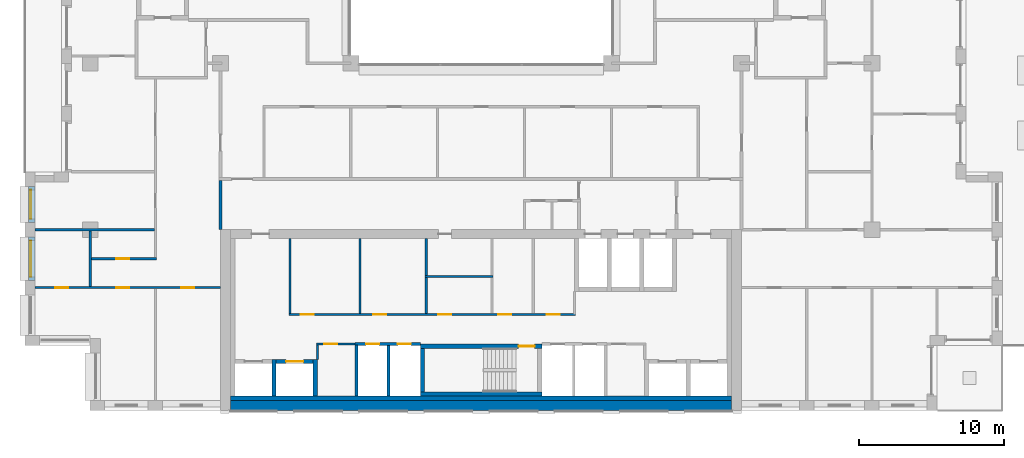
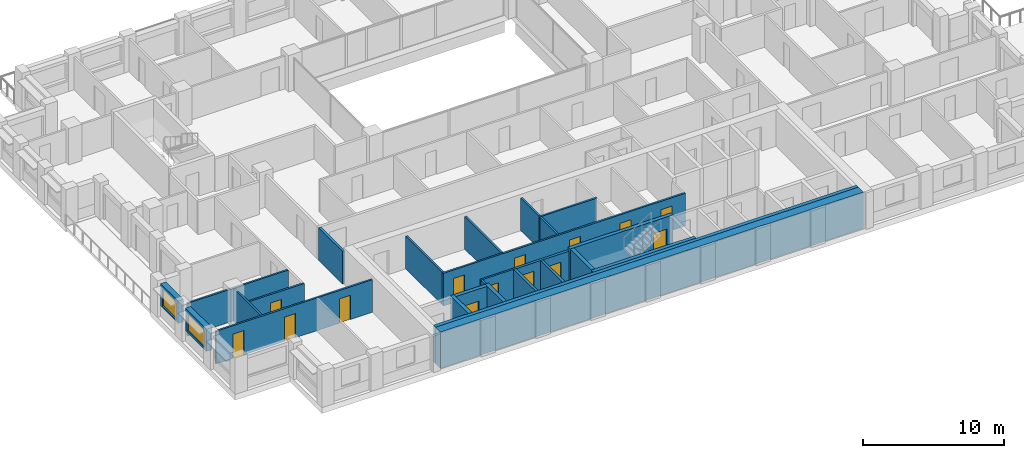
# One storey, part 8 of 17: 26 walls, 14 doors, 2 windows, 16 openings.
"""IFC4 building model written with IfcOpenShell, lengths in metres."""

from ifc_helpers import new_model, si_unit, direction, frame, frame_2d, origin, place, context, subcontext, project, spatial, rectangle, extrude, material, layer, layer_set, type_object, element, fill, save


model = new_model("IFC4")

# Units and contexts
model_context = context("Model", 3, precision=1e-05, world=origin(), true_north=direction((0.0, 1.0)))
body_context = subcontext(model_context, "Body", "Model", "MODEL_VIEW")
ifc_project = project(units=[si_unit("LENGTHUNIT", "METRE"), si_unit("AREAUNIT", "SQUARE_METRE"), si_unit("VOLUMEUNIT", "CUBIC_METRE"), si_unit("PLANEANGLEUNIT", "RADIAN"), si_unit("MASSUNIT", "GRAM", prefix="KILO")], contexts=[model_context])

# Site, building, storey
site_placement = place(None, origin())
site = spatial("IfcSite", under=ifc_project, at=site_placement, CompositionType="ELEMENT")
building_placement = place(site_placement, origin())
building = spatial("IfcBuilding", under=site, at=building_placement, Name="Brigalow Station Residences", CompositionType="ELEMENT")
storey_placement = place(building_placement, frame((0.0, 0.0, 141.300048828125)))
storey = spatial("IfcBuildingStorey", under=building, at=storey_placement, Name="L40", CompositionType="ELEMENT", Elevation=141.300048828125)

# Wall, opening, window
ifc_material_1 = material(Name="Clay brick masonry", Category="masonry")
ifc_layer_1 = layer(ifc_material_1, 0.449951171875)
ifc_layer_set_1 = layer_set([ifc_layer_1], Name="BRICK INFILL WALL 450")
wall_type_1 = type_object("IfcWallType", Name="BRICK INFILL WALL 450", PredefinedType="SOLIDWALL", material=ifc_layer_set_1)
wall_1_placement = place(storey_placement, frame((4.97509765625, 15.5, 0.89990234375), z_axis=(0.0, 0.0, 1.0), x_axis=(0.0, -1.0, 0.0)))
wall_1 = element("IfcWall", 1, at=wall_1_placement, inside=storey, type_object=wall_type_1, Name="L40/ewall/W-L40-45", PredefinedType="SOLIDWALL", context=body_context, shape_type="SweptSolid", body=[
    extrude(rectangle(XDim=2.5, YDim=0.449951171875, at=frame_2d((1.25, 0.0))), origin(), (0.0, 0.0, 1.0), 1.929931640625),
])
opening_1_placement = place(wall_1_placement, frame((0.25, 0.0, 0.14990234375)))
opening_1 = element("IfcOpeningElement", 2, at=opening_1_placement, cuts=wall_1, Name="Opening WT-7", PredefinedType="OPENING", context=body_context, shape_type="SweptSolid", body=[
    extrude(rectangle(XDim=2.0, YDim=1.5, at=frame_2d((1.0, 0.75))), frame((0.0, 0.23486328125, 0.0), z_axis=(0.0, -1.0, 0.0), x_axis=(1.0, 0.0, 0.0)), (0.0, 0.0, 1.0), 0.469970703125),
])
ifc_material_2 = material(Name="Anodised aluminium frame with double glazing", Category="aluminium")
window_type_1 = type_object("IfcWindowType", Name="WINDOW 2000x1500", PartitioningType="SINGLE_PANEL", PredefinedType="WINDOW", material=ifc_material_2)
window_1_placement = place(opening_1_placement, origin())
window_1 = element("IfcWindow", 3, at=window_1_placement, inside=storey, type_object=window_type_1, Name="L40/window/W-L40-45", OverallHeight=1.5, OverallWidth=2.0, PartitioningType="SINGLE_PANEL", PredefinedType="WINDOW", context=body_context, shape_type="SweptSolid", body=[
    extrude(rectangle(XDim=2.0, YDim=1.5, at=frame_2d((1.0, 0.75))), frame((0.0, -0.06494140625, 0.0), z_axis=(0.0, -1.0, 0.0), x_axis=(1.0, 0.0, 0.0)), (0.0, 0.0, 1.0), 0.06005859375),
])
fill(opening_1, window_1)

wall_2_placement = place(storey_placement, frame((4.97509765625, 12.0, 0.89990234375), z_axis=(0.0, 0.0, 1.0), x_axis=(0.0, -1.0, 0.0)))
wall_2 = element("IfcWall", 4, at=wall_2_placement, inside=storey, type_object=wall_type_1, Name="L40/ewall/W-L40-46", PredefinedType="SOLIDWALL", context=body_context, shape_type="SweptSolid", body=[
    extrude(rectangle(XDim=3.0, YDim=0.449951171875, at=frame_2d((1.5, 0.0))), origin(), (0.0, 0.0, 1.0), 1.929931640625),
])
opening_2_placement = place(wall_2_placement, frame((0.25, 0.0, 0.14990234375)))
opening_2 = element("IfcOpeningElement", 5, at=opening_2_placement, cuts=wall_2, Name="Opening WT-5", PredefinedType="OPENING", context=body_context, shape_type="SweptSolid", body=[
    extrude(rectangle(XDim=2.5, YDim=1.5, at=frame_2d((1.25, 0.75))), frame((0.0, 0.23486328125, 0.0), z_axis=(0.0, -1.0, 0.0), x_axis=(1.0, 0.0, 0.0)), (0.0, 0.0, 1.0), 0.469970703125),
])
ifc_material_3 = material(Name="Anodised aluminium frame with double glazing", Category="aluminium")
window_type_2 = type_object("IfcWindowType", Name="WINDOW 2500x1500", PartitioningType="SINGLE_PANEL", PredefinedType="WINDOW", material=ifc_material_3)
window_2_placement = place(opening_2_placement, origin())
window_2 = element("IfcWindow", 6, at=window_2_placement, inside=storey, type_object=window_type_2, Name="L40/window/W-L40-46", OverallHeight=1.5, OverallWidth=2.5, PartitioningType="SINGLE_PANEL", PredefinedType="WINDOW", context=body_context, shape_type="SweptSolid", body=[
    extrude(rectangle(XDim=2.5, YDim=1.5, at=frame_2d((1.25, 0.75))), frame((0.0, -0.06494140625, 0.0), z_axis=(0.0, -1.0, 0.0), x_axis=(1.0, 0.0, 0.0)), (0.0, 0.0, 1.0), 0.06005859375),
])
fill(opening_2, window_2)

# Wall
ifc_material_4 = material(Name="Concrete C65", Category="concrete")
ifc_layer_2 = layer(ifc_material_4, 0.300048828125)
ifc_layer_set_2 = layer_set([ifc_layer_2], Name="CORE SHEAR WALL 300 C65")
wall_type_2 = type_object("IfcWallType", Name="CORE SHEAR WALL 300 C65", PredefinedType="SHEAR", material=ifc_layer_set_2)
wall_3_placement = place(storey_placement, frame((18.699951171875, 0.85009765625, 0.0), z_axis=(0.0, 0.0, 1.0), x_axis=(1.0, 0.0, 0.0)))
element("IfcWall", 7, at=wall_3_placement, inside=storey, type_object=wall_type_2, Name="CORE WALL LIN-S L40", PredefinedType="SHEAR", context=body_context, shape_type="SweptSolid", body=[
    extrude(rectangle(XDim=34.60009765625, YDim=0.300048828125, at=frame_2d((17.300048828125, 0.0))), origin(), (0.0, 0.0, 1.0), 3.14990234375),
])

# Wall, opening, door
wall_4_placement = place(storey_placement, frame((21.85009765625, 3.39990234375, 0.0), z_axis=(0.0, 0.0, 1.0), x_axis=(1.0, 0.0, 0.0)))
wall_4 = element("IfcWall", 8, at=wall_4_placement, inside=storey, type_object=wall_type_2, Name="CORE WALL SH-C2-N L40", PredefinedType="SHEAR", context=body_context, shape_type="SweptSolid", body=[
    extrude(rectangle(XDim=2.5498046875, YDim=0.300048828125, at=frame_2d((1.27490234375, 0.0))), origin(), (0.0, 0.0, 1.0), 3.14990234375),
])
opening_3_placement = place(wall_4_placement, frame((0.675048828125, 0.0, 0.0)))
opening_3 = element("IfcOpeningElement", 9, at=opening_3_placement, cuts=wall_4, Name="Opening LD-LB2", PredefinedType="OPENING", context=body_context, shape_type="SweptSolid", body=[
    extrude(rectangle(XDim=1.199951171875, YDim=2.10009765625, at=frame_2d((0.60009765625, 1.050048828125))), frame((0.0, 0.16015625, 0.0), z_axis=(0.0, -1.0, 0.0), x_axis=(1.0, 0.0, 0.0)), (0.0, 0.0, 1.0), 0.320068359375),
])
ifc_material_5 = material(Name="Stainless steel sliding door leaves", Category="steel")
door_type_1 = type_object("IfcDoorType", Name="LIFT LANDING DOOR 1200 x 2100", OperationType="DOUBLE_DOOR_SLIDING", PredefinedType="DOOR", material=ifc_material_5)
door_1_placement = place(opening_3_placement, origin())
door_1 = element("IfcDoor", 10, at=door_1_placement, inside=storey, type_object=door_type_1, Name="LANDING DOOR LB2", OperationType="DOUBLE_DOOR_SLIDING", OverallHeight=2.10009765625, OverallWidth=1.199951171875, PredefinedType="DOOR", context=body_context, shape_type="SweptSolid", body=[
    extrude(rectangle(XDim=1.199951171875, YDim=2.10009765625, at=frame_2d((0.60009765625, 1.050048828125))), frame((0.0, 0.02490234375, 0.0), z_axis=(0.0, -1.0, 0.0), x_axis=(1.0, 0.0, 0.0)), (0.0, 0.0, 1.0), 0.050048828125),
])
fill(opening_3, door_1)

# Walls
for number, where, z_axis, x_axis, name in (
    (11, (21.699951171875, 1.0, 0.0), (0.0, 0.0, 1.0), (0.0, 1.0, 0.0), "CORE WALL SH-C2-W L40"),
    (12, (24.550048828125, 1.0, 0.0), (0.0, 0.0, 1.0), (0.0, 1.0, 0.0), "CORE WALL SH-C2-E L40"),
):
    element("IfcWall", number, at=place(storey_placement, frame(where, z_axis=z_axis, x_axis=x_axis)), inside=storey, type_object=wall_type_2, Name=name, PredefinedType="SHEAR", context=body_context, shape_type="SweptSolid", body=[
        extrude(rectangle(XDim=2.550048828125, YDim=0.300048828125, at=frame_2d((1.27490234375, 0.0))), origin(), (0.0, 0.0, 1.0), 3.14990234375),
    ])
wall_5_placement = place(storey_placement, frame((31.800048828125, 1.14990234375, 0.0), z_axis=(0.0, 0.0, 1.0), x_axis=(1.0, 0.0, 0.0)))
element("IfcWall", 13, at=wall_5_placement, inside=storey, type_object=wall_type_2, Name="CORE WALL ST-S2-S L40", PredefinedType="SHEAR", context=body_context, shape_type="SweptSolid", body=[
    extrude(rectangle(XDim=8.39990234375, YDim=0.300048828125, at=frame_2d((4.199951171875, 0.0))), origin(), (0.0, 0.0, 1.0), 3.14990234375),
])

# Wall, opening, door
wall_6_placement = place(storey_placement, frame((31.800048828125, 4.449951171875, 0.0), z_axis=(0.0, 0.0, 1.0), x_axis=(1.0, 0.0, 0.0)))
wall_6 = element("IfcWall", 14, at=wall_6_placement, inside=storey, type_object=wall_type_2, Name="CORE WALL ST-S2-N L40", PredefinedType="SHEAR", context=body_context, shape_type="SweptSolid", body=[
    extrude(rectangle(XDim=8.39990234375, YDim=0.300048828125, at=frame_2d((4.199951171875, 0.0))), origin(), (0.0, 0.0, 1.0), 3.14990234375),
])
opening_4_placement = place(wall_6_placement, frame((6.800048828125, 0.0, 0.0)))
opening_4 = element("IfcOpeningElement", 15, at=opening_4_placement, cuts=wall_6, Name="Opening D-5001", PredefinedType="OPENING", context=body_context, shape_type="SweptSolid", body=[
    extrude(rectangle(XDim=1.10009765625, YDim=2.10009765625, at=frame_2d((0.550048828125, 1.050048828125))), frame((0.0, 0.16015625, 0.0), z_axis=(0.0, -1.0, 0.0), x_axis=(1.0, 0.0, 0.0)), (0.0, 0.0, 1.0), 0.320068359375),
])
ifc_material_6 = material(Name="Steel fire door leaf in steel frame", Category="steel")
door_type_2 = type_object("IfcDoorType", Name="STAIR DOOR 1100 x 2100 FD60S", OperationType="SINGLE_SWING_LEFT", PredefinedType="DOOR", material=ifc_material_6)
door_2_placement = place(opening_4_placement, frame((1.10009765625, 0.0, 0.0), z_axis=(0.0, 0.0, 1.0), x_axis=(-1.0, 0.0, 0.0)))
door_2 = element("IfcDoor", 16, at=door_2_placement, inside=storey, type_object=door_type_2, Name="D-5001", OperationType="SINGLE_SWING_LEFT", OverallHeight=2.10009765625, OverallWidth=1.10009765625, PredefinedType="DOOR", context=body_context, shape_type="SweptSolid", body=[
    extrude(rectangle(XDim=1.10009765625, YDim=2.10009765625, at=frame_2d((0.550048828125, 1.050048828125))), frame((0.0, 0.02490234375, 0.0), z_axis=(0.0, -1.0, 0.0), x_axis=(1.0, 0.0, 0.0)), (0.0, 0.0, 1.0), 0.050048828125),
])
fill(opening_4, door_2)

# Walls
wall_7_placement = place(storey_placement, frame((31.949951171875, 1.300048828125, 0.0), z_axis=(0.0, 0.0, 1.0), x_axis=(0.0, 1.0, 0.0)))
element("IfcWall", 17, at=wall_7_placement, inside=storey, type_object=wall_type_2, Name="CORE WALL ST-S2-W L40", PredefinedType="SHEAR", context=body_context, shape_type="SweptSolid", body=[
    extrude(rectangle(XDim=3.0, YDim=0.300048828125, at=frame_2d((1.5, 0.0))), origin(), (0.0, 0.0, 1.0), 3.14990234375),
])
ifc_material_7 = material(Name="Concrete C65", Category="concrete")
ifc_layer_3 = layer(ifc_material_7, 0.699951171875)
ifc_layer_set_3 = layer_set([ifc_layer_3], Name="CORE SHEAR WALL 700 C65")
wall_type_3 = type_object("IfcWallType", Name="CORE SHEAR WALL 700 C65", PredefinedType="SHEAR", material=ifc_layer_set_3)
wall_8_placement = place(storey_placement, frame((18.699951171875, 0.35009765625, 0.0), z_axis=(0.0, 0.0, 1.0), x_axis=(1.0, 0.0, 0.0)))
element("IfcWall", 18, at=wall_8_placement, inside=storey, type_object=wall_type_3, Name="CORE WALL OUT-S L40", PredefinedType="SHEAR", context=body_context, shape_type="SweptSolid", body=[
    extrude(rectangle(XDim=34.60009765625, YDim=0.699951171875, at=frame_2d((17.300048828125, 0.0))), origin(), (0.0, 0.0, 1.0), 3.14990234375),
])

# Wall, openings, doors
ifc_material_8 = material(Name="Concrete blockwork", Category="masonry")
ifc_layer_4 = layer(ifc_material_8, 0.199951171875)
ifc_layer_set_4 = layer_set([ifc_layer_4], Name="FIRE RATED CORE PARTITION 200")
wall_type_4 = type_object("IfcWallType", Name="FIRE RATED CORE PARTITION 200", PredefinedType="PARTITIONING", material=ifc_layer_set_4)
wall_9_placement = place(storey_placement, frame((27.300048828125, 4.60009765625, 0.0), z_axis=(0.0, 0.0, 1.0), x_axis=(1.0, 0.0, 0.0)))
wall_9 = element("IfcWall", 19, at=wall_9_placement, inside=storey, type_object=wall_type_4, Name="PW-5017", PredefinedType="PARTITIONING", context=body_context, shape_type="SweptSolid", body=[
    extrude(rectangle(XDim=4.5, YDim=0.199951171875, at=frame_2d((2.25, 0.0))), origin(), (0.0, 0.0, 1.0), 2.829833984375),
])
opening_5_placement = place(wall_9_placement, frame((0.75, 0.0, 0.0)))
opening_5 = element("IfcOpeningElement", 20, at=opening_5_placement, cuts=wall_9, Name="Opening D-5007", PredefinedType="OPENING", context=body_context, shape_type="SweptSolid", body=[
    extrude(rectangle(XDim=0.89990234375, YDim=2.10009765625, at=frame_2d((0.449951171875, 1.050048828125))), frame((0.0, 0.10986328125, 0.0), z_axis=(0.0, -1.0, 0.0), x_axis=(1.0, 0.0, 0.0)), (0.0, 0.0, 1.0), 0.219970703125),
])
opening_6_placement = place(wall_9_placement, frame((2.949951171875, 0.0, 0.0)))
opening_6 = element("IfcOpeningElement", 21, at=opening_6_placement, cuts=wall_9, Name="Opening D-5008", PredefinedType="OPENING", context=body_context, shape_type="SweptSolid", body=[
    extrude(rectangle(XDim=0.89990234375, YDim=2.10009765625, at=frame_2d((0.449951171875, 1.050048828125))), frame((0.0, 0.10986328125, 0.0), z_axis=(0.0, -1.0, 0.0), x_axis=(1.0, 0.0, 0.0)), (0.0, 0.0, 1.0), 0.219970703125),
])
ifc_material_9 = material(Name="Steel fire door leaf in steel frame", Category="steel")
door_type_3 = type_object("IfcDoorType", Name="RISER ACCESS DOOR 900 x 2100 FD120", OperationType="SINGLE_SWING_LEFT", PredefinedType="DOOR", material=ifc_material_9)
door_3_placement = place(opening_5_placement, frame((0.89990234375, 0.0, 0.0), z_axis=(0.0, 0.0, 1.0), x_axis=(-1.0, 0.0, 0.0)))
door_3 = element("IfcDoor", 22, at=door_3_placement, inside=storey, type_object=door_type_3, Name="D-5007", OperationType="SINGLE_SWING_RIGHT", OverallHeight=2.10009765625, OverallWidth=0.89990234375, PredefinedType="DOOR", context=body_context, shape_type="SweptSolid", body=[
    extrude(rectangle(XDim=0.89990234375, YDim=2.10009765625, at=frame_2d((0.449951171875, 1.050048828125))), frame((0.0, 0.02490234375, 0.0), z_axis=(0.0, -1.0, 0.0), x_axis=(1.0, 0.0, 0.0)), (0.0, 0.0, 1.0), 0.050048828125),
])
fill(opening_5, door_3)
door_4_placement = place(opening_6_placement, frame((0.89990234375, 0.0, 0.0), z_axis=(0.0, 0.0, 1.0), x_axis=(-1.0, 0.0, 0.0)))
door_4 = element("IfcDoor", 23, at=door_4_placement, inside=storey, type_object=door_type_3, Name="D-5008", OperationType="SINGLE_SWING_RIGHT", OverallHeight=2.10009765625, OverallWidth=0.89990234375, PredefinedType="DOOR", context=body_context, shape_type="SweptSolid", body=[
    extrude(rectangle(XDim=0.89990234375, YDim=2.10009765625, at=frame_2d((0.449951171875, 1.050048828125))), frame((0.0, 0.02490234375, 0.0), z_axis=(0.0, -1.0, 0.0), x_axis=(1.0, 0.0, 0.0)), (0.0, 0.0, 1.0), 0.050048828125),
])
fill(opening_6, door_4)

# Walls
wall_10_placement = place(storey_placement, frame((27.39990234375, 1.0, 0.0), z_axis=(0.0, 0.0, 1.0), x_axis=(0.0, 1.0, 0.0)))
element("IfcWall", 24, at=wall_10_placement, inside=storey, type_object=wall_type_4, Name="PW-5027", PredefinedType="PARTITIONING", context=body_context, shape_type="SweptSolid", body=[
    extrude(rectangle(XDim=3.52490234375, YDim=0.199951171875, at=frame_2d((1.762451171875, 0.0))), origin(), (0.0, 0.0, 1.0), 2.829833984375),
])
wall_11_placement = place(storey_placement, frame((29.60009765625, 1.0, 0.0), z_axis=(0.0, 0.0, 1.0), x_axis=(0.0, 1.0, 0.0)))
element("IfcWall", 25, at=wall_11_placement, inside=storey, type_object=wall_type_4, Name="PW-5006", PredefinedType="PARTITIONING", context=body_context, shape_type="SweptSolid", body=[
    extrude(rectangle(XDim=3.5, YDim=0.199951171875, at=frame_2d((1.75, 0.0))), origin(), (0.0, 0.0, 1.0), 2.829833984375),
])
wall_12_placement = place(storey_placement, frame((18.0, 12.5, 0.0), z_axis=(0.0, 0.0, 1.0), x_axis=(0.0, 1.0, 0.0)))
element("IfcWall", 26, at=wall_12_placement, inside=storey, type_object=wall_type_4, Name="PW-5013", PredefinedType="PARTITIONING", context=body_context, shape_type="SweptSolid", body=[
    extrude(rectangle(XDim=3.39990234375, YDim=0.199951171875, at=frame_2d((1.699951171875, 0.0))), origin(), (0.0, 0.0, 1.0), 2.829833984375),
])

# Wall, openings, doors
ifc_material_10 = material(Name="Plasterboard on steel stud partition", Category="steel")
ifc_layer_5 = layer(ifc_material_10, 0.14990234375)
ifc_layer_set_5 = layer_set([ifc_layer_5], Name="FLAT PARTITION 150")
wall_type_5 = type_object("IfcWallType", Name="FLAT PARTITION 150", PredefinedType="PARTITIONING", material=ifc_layer_set_5)
wall_13_placement = place(storey_placement, frame((5.199951171875, 8.5, 0.0), z_axis=(0.0, 0.0, 1.0), x_axis=(1.0, 0.0, 0.0)))
wall_13 = element("IfcWall", 27, at=wall_13_placement, inside=storey, type_object=wall_type_5, Name="PW-3A09", PredefinedType="PARTITIONING", context=body_context, shape_type="SweptSolid", body=[
    extrude(rectangle(XDim=12.800048828125, YDim=0.14990234375, at=frame_2d((6.39990234375, 0.0))), origin(), (0.0, 0.0, 1.0), 2.829833984375),
])
opening_7_placement = place(wall_13_placement, frame((10.10009765625, 0.0, 0.0)))
opening_7 = element("IfcOpeningElement", 28, at=opening_7_placement, cuts=wall_13, Name="Opening D-3A03", PredefinedType="OPENING", context=body_context, shape_type="SweptSolid", body=[
    extrude(rectangle(XDim=0.89990234375, YDim=2.10009765625, at=frame_2d((0.449951171875, 1.050048828125))), frame((0.0, 0.0849609375, 0.0), z_axis=(0.0, -1.0, 0.0), x_axis=(1.0, 0.0, 0.0)), (0.0, 0.0, 1.0), 0.169921875),
])
opening_8_placement = place(wall_13_placement, frame((5.60009765625, 0.0, 0.0)))
opening_8 = element("IfcOpeningElement", 29, at=opening_8_placement, cuts=wall_13, Name="Opening D-3A04", PredefinedType="OPENING", context=body_context, shape_type="SweptSolid", body=[
    extrude(rectangle(XDim=0.89990234375, YDim=2.10009765625, at=frame_2d((0.449951171875, 1.050048828125))), frame((0.0, 0.0849609375, 0.0), z_axis=(0.0, -1.0, 0.0), x_axis=(1.0, 0.0, 0.0)), (0.0, 0.0, 1.0), 0.169921875),
])
opening_9_placement = place(wall_13_placement, frame((1.375, 0.0, 0.0)))
opening_9 = element("IfcOpeningElement", 30, at=opening_9_placement, cuts=wall_13, Name="Opening D-3A05", PredefinedType="OPENING", context=body_context, shape_type="SweptSolid", body=[
    extrude(rectangle(XDim=0.89990234375, YDim=2.10009765625, at=frame_2d((0.449951171875, 1.050048828125))), frame((0.0, 0.0849609375, 0.0), z_axis=(0.0, -1.0, 0.0), x_axis=(1.0, 0.0, 0.0)), (0.0, 0.0, 1.0), 0.169921875),
])
ifc_material_11 = material(Name="Solid-core timber door leaf", Category="wood")
door_type_4 = type_object("IfcDoorType", Name="INTERNAL DOOR 900 x 2100", OperationType="SINGLE_SWING_LEFT", PredefinedType="DOOR", material=ifc_material_11)
door_5_placement = place(opening_7_placement, frame((0.89990234375, 0.0, 0.0), z_axis=(0.0, 0.0, 1.0), x_axis=(-1.0, 0.0, 0.0)))
door_5 = element("IfcDoor", 31, at=door_5_placement, inside=storey, type_object=door_type_4, Name="D-3A03", OperationType="SINGLE_SWING_RIGHT", OverallHeight=2.10009765625, OverallWidth=0.89990234375, PredefinedType="DOOR", context=body_context, shape_type="SweptSolid", body=[
    extrude(rectangle(XDim=0.89990234375, YDim=2.10009765625, at=frame_2d((0.449951171875, 1.050048828125))), frame((0.0, 0.02490234375, 0.0), z_axis=(0.0, -1.0, 0.0), x_axis=(1.0, 0.0, 0.0)), (0.0, 0.0, 1.0), 0.050048828125),
])
fill(opening_7, door_5)
door_6_placement = place(opening_8_placement, frame((0.89990234375, 0.0, 0.0), z_axis=(0.0, 0.0, 1.0), x_axis=(-1.0, 0.0, 0.0)))
door_6 = element("IfcDoor", 32, at=door_6_placement, inside=storey, type_object=door_type_4, Name="D-3A04", OperationType="SINGLE_SWING_LEFT", OverallHeight=2.10009765625, OverallWidth=0.89990234375, PredefinedType="DOOR", context=body_context, shape_type="SweptSolid", body=[
    extrude(rectangle(XDim=0.89990234375, YDim=2.10009765625, at=frame_2d((0.449951171875, 1.050048828125))), frame((0.0, 0.02490234375, 0.0), z_axis=(0.0, -1.0, 0.0), x_axis=(1.0, 0.0, 0.0)), (0.0, 0.0, 1.0), 0.050048828125),
])
fill(opening_8, door_6)
door_7_placement = place(opening_9_placement, origin())
door_7 = element("IfcDoor", 33, at=door_7_placement, inside=storey, type_object=door_type_4, Name="D-3A05", OperationType="SINGLE_SWING_LEFT", OverallHeight=2.10009765625, OverallWidth=0.89990234375, PredefinedType="DOOR", context=body_context, shape_type="SweptSolid", body=[
    extrude(rectangle(XDim=0.89990234375, YDim=2.10009765625, at=frame_2d((0.449951171875, 1.050048828125))), frame((0.0, 0.02490234375, 0.0), z_axis=(0.0, -1.0, 0.0), x_axis=(1.0, 0.0, 0.0)), (0.0, 0.0, 1.0), 0.050048828125),
])
fill(opening_9, door_7)

# Wall
wall_14_placement = place(storey_placement, frame((5.199951171875, 12.5, 0.0), z_axis=(0.0, 0.0, 1.0), x_axis=(1.0, 0.0, 0.0)))
element("IfcWall", 34, at=wall_14_placement, inside=storey, type_object=wall_type_5, Name="PW-3A11", PredefinedType="PARTITIONING", context=body_context, shape_type="SweptSolid", body=[
    extrude(rectangle(XDim=8.22509765625, YDim=0.14990234375, at=frame_2d((4.112548828125, 0.0))), origin(), (0.0, 0.0, 1.0), 2.829833984375),
])

# Wall, opening, door
wall_15_placement = place(storey_placement, frame((9.074951171875, 10.5, 0.0), z_axis=(0.0, 0.0, 1.0), x_axis=(1.0, 0.0, 0.0)))
wall_15 = element("IfcWall", 35, at=wall_15_placement, inside=storey, type_object=wall_type_5, Name="PW-3A13", PredefinedType="PARTITIONING", context=body_context, shape_type="SweptSolid", body=[
    extrude(rectangle(XDim=4.5, YDim=0.14990234375, at=frame_2d((2.25, 0.0))), origin(), (0.0, 0.0, 1.0), 2.829833984375),
])
opening_10_placement = place(wall_15_placement, frame((1.72509765625, 0.0, 0.0)))
opening_10 = element("IfcOpeningElement", 36, at=opening_10_placement, cuts=wall_15, Name="Opening D-3A06", PredefinedType="OPENING", context=body_context, shape_type="SweptSolid", body=[
    extrude(rectangle(XDim=0.89990234375, YDim=2.10009765625, at=frame_2d((0.449951171875, 1.050048828125))), frame((0.0, 0.0849609375, 0.0), z_axis=(0.0, -1.0, 0.0), x_axis=(1.0, 0.0, 0.0)), (0.0, 0.0, 1.0), 0.169921875),
])
door_8_placement = place(opening_10_placement, origin())
door_8 = element("IfcDoor", 37, at=door_8_placement, inside=storey, type_object=door_type_4, Name="D-3A06", OperationType="SINGLE_SWING_RIGHT", OverallHeight=2.10009765625, OverallWidth=0.89990234375, PredefinedType="DOOR", context=body_context, shape_type="SweptSolid", body=[
    extrude(rectangle(XDim=0.89990234375, YDim=2.10009765625, at=frame_2d((0.449951171875, 1.050048828125))), frame((0.0, 0.02490234375, 0.0), z_axis=(0.0, -1.0, 0.0), x_axis=(1.0, 0.0, 0.0)), (0.0, 0.0, 1.0), 0.050048828125),
])
fill(opening_10, door_8)

# Wall
wall_16_placement = place(storey_placement, frame((9.0, 8.574951171875, 0.0), z_axis=(0.0, 0.0, 1.0), x_axis=(0.0, 1.0, 0.0)))
element("IfcWall", 38, at=wall_16_placement, inside=storey, type_object=wall_type_5, Name="PW-3A41", PredefinedType="PARTITIONING", context=body_context, shape_type="SweptSolid", body=[
    extrude(rectangle(XDim=3.85009765625, YDim=0.14990234375, at=frame_2d((1.925048828125, 0.0))), origin(), (0.0, 0.0, 1.0), 2.829833984375),
])

# Wall, opening, door
ifc_material_12 = material(Name="Plasterboard on steel studs", Category="steel")
ifc_layer_6 = layer(ifc_material_12, 0.14990234375)
ifc_layer_set_6 = layer_set([ifc_layer_6], Name="SERVICE ROOM PARTITION 150")
wall_type_6 = type_object("IfcWallType", Name="SERVICE ROOM PARTITION 150", PredefinedType="PARTITIONING", material=ifc_layer_set_6)
wall_17_placement = place(storey_placement, frame((24.625, 4.60009765625, 0.0), z_axis=(0.0, 0.0, 1.0), x_axis=(1.0, 0.0, 0.0)))
wall_17 = element("IfcWall", 39, at=wall_17_placement, inside=storey, type_object=wall_type_6, Name="PW-5155", PredefinedType="PARTITIONING", context=body_context, shape_type="SweptSolid", body=[
    extrude(rectangle(XDim=2.675048828125, YDim=0.14990234375, at=frame_2d((1.33740234375, 0.0))), origin(), (0.0, 0.0, 1.0), 2.829833984375),
])
opening_11_placement = place(wall_17_placement, frame((0.52490234375, 0.0, 0.0)))
opening_11 = element("IfcOpeningElement", 40, at=opening_11_placement, cuts=wall_17, Name="Opening D-5087", PredefinedType="OPENING", context=body_context, shape_type="SweptSolid", body=[
    extrude(rectangle(XDim=0.89990234375, YDim=2.10009765625, at=frame_2d((0.449951171875, 1.050048828125))), frame((0.0, 0.0849609375, 0.0), z_axis=(0.0, -1.0, 0.0), x_axis=(1.0, 0.0, 0.0)), (0.0, 0.0, 1.0), 0.169921875),
])
ifc_material_13 = material(Name="Steel door leaf in steel frame", Category="steel")
door_type_5 = type_object("IfcDoorType", Name="SERVICE ROOM DOOR 900 x 2100 FD60", OperationType="SINGLE_SWING_LEFT", PredefinedType="DOOR", material=ifc_material_13)
door_9_placement = place(opening_11_placement, frame((0.89990234375, 0.0, 0.0), z_axis=(0.0, 0.0, 1.0), x_axis=(-1.0, 0.0, 0.0)))
door_9 = element("IfcDoor", 41, at=door_9_placement, inside=storey, type_object=door_type_5, Name="D-5087", OperationType="SINGLE_SWING_RIGHT", OverallHeight=2.10009765625, OverallWidth=0.89990234375, PredefinedType="DOOR", context=body_context, shape_type="SweptSolid", body=[
    extrude(rectangle(XDim=0.89990234375, YDim=2.10009765625, at=frame_2d((0.449951171875, 1.050048828125))), frame((0.0, 0.02490234375, 0.0), z_axis=(0.0, -1.0, 0.0), x_axis=(1.0, 0.0, 0.0)), (0.0, 0.0, 1.0), 0.050048828125),
])
fill(opening_11, door_9)

# Wall, openings, doors
wall_18_placement = place(storey_placement, frame((22.72509765625, 6.64990234375, 0.0), z_axis=(0.0, 0.0, 1.0), x_axis=(1.0, 0.0, 0.0)))
wall_18 = element("IfcWall", 42, at=wall_18_placement, inside=storey, type_object=wall_type_6, Name="PW-5195", PredefinedType="PARTITIONING", context=body_context, shape_type="SweptSolid", body=[
    extrude(rectangle(XDim=19.7998046875, YDim=0.14990234375, at=frame_2d((9.89990234375, 0.0))), origin(), (0.0, 0.0, 1.0), 2.829833984375),
])
opening_12_placement = place(wall_18_placement, frame((0.824951171875, 0.0, 0.0)))
opening_12 = element("IfcOpeningElement", 43, at=opening_12_placement, cuts=wall_18, Name="Opening D-5110", PredefinedType="OPENING", context=body_context, shape_type="SweptSolid", body=[
    extrude(rectangle(XDim=0.89990234375, YDim=2.10009765625, at=frame_2d((0.449951171875, 1.050048828125))), frame((0.0, 0.0849609375, 0.0), z_axis=(0.0, -1.0, 0.0), x_axis=(1.0, 0.0, 0.0)), (0.0, 0.0, 1.0), 0.169921875),
])
opening_13_placement = place(wall_18_placement, frame((5.824951171875, 0.0, 0.0)))
opening_13 = element("IfcOpeningElement", 44, at=opening_13_placement, cuts=wall_18, Name="Opening D-5111", PredefinedType="OPENING", context=body_context, shape_type="SweptSolid", body=[
    extrude(rectangle(XDim=0.89990234375, YDim=2.10009765625, at=frame_2d((0.449951171875, 1.050048828125))), frame((0.0, 0.0849609375, 0.0), z_axis=(0.0, -1.0, 0.0), x_axis=(1.0, 0.0, 0.0)), (0.0, 0.0, 1.0), 0.169921875),
])
opening_14_placement = place(wall_18_placement, frame((10.324951171875, 0.0, 0.0)))
opening_14 = element("IfcOpeningElement", 45, at=opening_14_placement, cuts=wall_18, Name="Opening D-5112", PredefinedType="OPENING", context=body_context, shape_type="SweptSolid", body=[
    extrude(rectangle(XDim=0.89990234375, YDim=2.10009765625, at=frame_2d((0.449951171875, 1.050048828125))), frame((0.0, 0.0849609375, 0.0), z_axis=(0.0, -1.0, 0.0), x_axis=(1.0, 0.0, 0.0)), (0.0, 0.0, 1.0), 0.169921875),
])
opening_15_placement = place(wall_18_placement, frame((14.47509765625, 0.0, 0.0)))
opening_15 = element("IfcOpeningElement", 46, at=opening_15_placement, cuts=wall_18, Name="Opening D-5114", PredefinedType="OPENING", context=body_context, shape_type="SweptSolid", body=[
    extrude(rectangle(XDim=0.89990234375, YDim=2.10009765625, at=frame_2d((0.449951171875, 1.050048828125))), frame((0.0, 0.0849609375, 0.0), z_axis=(0.0, -1.0, 0.0), x_axis=(1.0, 0.0, 0.0)), (0.0, 0.0, 1.0), 0.169921875),
])
opening_16_placement = place(wall_18_placement, frame((17.824951171875, 0.0, 0.0)))
opening_16 = element("IfcOpeningElement", 47, at=opening_16_placement, cuts=wall_18, Name="Opening D-5115", PredefinedType="OPENING", context=body_context, shape_type="SweptSolid", body=[
    extrude(rectangle(XDim=0.89990234375, YDim=2.10009765625, at=frame_2d((0.449951171875, 1.050048828125))), frame((0.0, 0.0849609375, 0.0), z_axis=(0.0, -1.0, 0.0), x_axis=(1.0, 0.0, 0.0)), (0.0, 0.0, 1.0), 0.169921875),
])
door_10_placement = place(opening_12_placement, origin())
door_10 = element("IfcDoor", 48, at=door_10_placement, inside=storey, type_object=door_type_5, Name="D-5110", OperationType="SINGLE_SWING_LEFT", OverallHeight=2.10009765625, OverallWidth=0.89990234375, PredefinedType="DOOR", context=body_context, shape_type="SweptSolid", body=[
    extrude(rectangle(XDim=0.89990234375, YDim=2.10009765625, at=frame_2d((0.449951171875, 1.050048828125))), frame((0.0, 0.02490234375, 0.0), z_axis=(0.0, -1.0, 0.0), x_axis=(1.0, 0.0, 0.0)), (0.0, 0.0, 1.0), 0.050048828125),
])
fill(opening_12, door_10)
door_11_placement = place(opening_13_placement, origin())
door_11 = element("IfcDoor", 49, at=door_11_placement, inside=storey, type_object=door_type_5, Name="D-5111", OperationType="SINGLE_SWING_LEFT", OverallHeight=2.10009765625, OverallWidth=0.89990234375, PredefinedType="DOOR", context=body_context, shape_type="SweptSolid", body=[
    extrude(rectangle(XDim=0.89990234375, YDim=2.10009765625, at=frame_2d((0.449951171875, 1.050048828125))), frame((0.0, 0.02490234375, 0.0), z_axis=(0.0, -1.0, 0.0), x_axis=(1.0, 0.0, 0.0)), (0.0, 0.0, 1.0), 0.050048828125),
])
fill(opening_13, door_11)
door_12_placement = place(opening_14_placement, origin())
door_12 = element("IfcDoor", 50, at=door_12_placement, inside=storey, type_object=door_type_5, Name="D-5112", OperationType="SINGLE_SWING_LEFT", OverallHeight=2.10009765625, OverallWidth=0.89990234375, PredefinedType="DOOR", context=body_context, shape_type="SweptSolid", body=[
    extrude(rectangle(XDim=0.89990234375, YDim=2.10009765625, at=frame_2d((0.449951171875, 1.050048828125))), frame((0.0, 0.02490234375, 0.0), z_axis=(0.0, -1.0, 0.0), x_axis=(1.0, 0.0, 0.0)), (0.0, 0.0, 1.0), 0.050048828125),
])
fill(opening_14, door_12)
door_13_placement = place(opening_15_placement, origin())
door_13 = element("IfcDoor", 51, at=door_13_placement, inside=storey, type_object=door_type_5, Name="D-5114", OperationType="SINGLE_SWING_LEFT", OverallHeight=2.10009765625, OverallWidth=0.89990234375, PredefinedType="DOOR", context=body_context, shape_type="SweptSolid", body=[
    extrude(rectangle(XDim=0.89990234375, YDim=2.10009765625, at=frame_2d((0.449951171875, 1.050048828125))), frame((0.0, 0.02490234375, 0.0), z_axis=(0.0, -1.0, 0.0), x_axis=(1.0, 0.0, 0.0)), (0.0, 0.0, 1.0), 0.050048828125),
])
fill(opening_15, door_13)
door_14_placement = place(opening_16_placement, origin())
door_14 = element("IfcDoor", 52, at=door_14_placement, inside=storey, type_object=door_type_5, Name="D-5115", OperationType="SINGLE_SWING_LEFT", OverallHeight=2.10009765625, OverallWidth=0.89990234375, PredefinedType="DOOR", context=body_context, shape_type="SweptSolid", body=[
    extrude(rectangle(XDim=0.89990234375, YDim=2.10009765625, at=frame_2d((0.449951171875, 1.050048828125))), frame((0.0, 0.02490234375, 0.0), z_axis=(0.0, -1.0, 0.0), x_axis=(1.0, 0.0, 0.0)), (0.0, 0.0, 1.0), 0.050048828125),
])
fill(opening_16, door_14)

# Walls
wall_19_placement = place(storey_placement, frame((32.135009765625, 9.27001953125, 0.0), z_axis=(0.0, 0.0, 1.0), x_axis=(1.0, 0.0, 0.0)))
element("IfcWall", 53, at=wall_19_placement, inside=storey, type_object=wall_type_6, Name="PW-5196", PredefinedType="PARTITIONING", context=body_context, shape_type="SweptSolid", body=[
    extrude(rectangle(XDim=4.68994140625, YDim=0.14990234375, at=frame_2d((2.344970703125, 0.0))), origin(), (0.0, 0.0, 1.0), 2.829833984375),
])
wall_20_placement = place(storey_placement, frame((24.699951171875, 3.550048828125, 0.0), z_axis=(0.0, 0.0, 1.0), x_axis=(0.0, 1.0, 0.0)))
element("IfcWall", 54, at=wall_20_placement, inside=storey, type_object=wall_type_6, Name="PW-5157", PredefinedType="PARTITIONING", context=body_context, shape_type="SweptSolid", body=[
    extrude(rectangle(XDim=0.974853515625, YDim=0.14990234375, at=frame_2d((0.4873046875, 0.0))), origin(), (0.0, 0.0, 1.0), 2.829833984375),
])
for number, where, z_axis, x_axis, name in (
    (55, (22.800048828125, 6.72509765625, 0.0), (0.0, 0.0, 1.0), (0.0, 1.0, 0.0), "PW-5197"),
    (56, (27.6298828125, 6.72509765625, 0.0), (0.0, 0.0, 1.0), (0.0, 1.0, 0.0), "PW-5198"),
):
    element("IfcWall", number, at=place(storey_placement, frame(where, z_axis=z_axis, x_axis=x_axis)), inside=storey, type_object=wall_type_6, Name=name, PredefinedType="PARTITIONING", context=body_context, shape_type="SweptSolid", body=[
        extrude(rectangle(XDim=5.1748046875, YDim=0.14990234375, at=frame_2d((2.58740234375, 0.0))), origin(), (0.0, 0.0, 1.0), 2.829833984375),
    ])
wall_21_placement = place(storey_placement, frame((32.2099609375, 6.72509765625, 0.0), z_axis=(0.0, 0.0, 1.0), x_axis=(0.0, 1.0, 0.0)))
element("IfcWall", 57, at=wall_21_placement, inside=storey, type_object=wall_type_6, Name="PW-5199", PredefinedType="PARTITIONING", context=body_context, shape_type="SweptSolid", body=[
    extrude(rectangle(XDim=2.469970703125, YDim=0.14990234375, at=frame_2d((1.23486328125, 0.0))), origin(), (0.0, 0.0, 1.0), 2.829833984375),
])
wall_22_placement = place(storey_placement, frame((32.2099609375, 9.344970703125, 0.0), z_axis=(0.0, 0.0, 1.0), x_axis=(0.0, 1.0, 0.0)))
element("IfcWall", 58, at=wall_22_placement, inside=storey, type_object=wall_type_6, Name="PW-5202", PredefinedType="PARTITIONING", context=body_context, shape_type="SweptSolid", body=[
    extrude(rectangle(XDim=2.554931640625, YDim=0.14990234375, at=frame_2d((1.27734375, 0.0))), origin(), (0.0, 0.0, 1.0), 2.829833984375),
])

save(model, "model.ifc")
